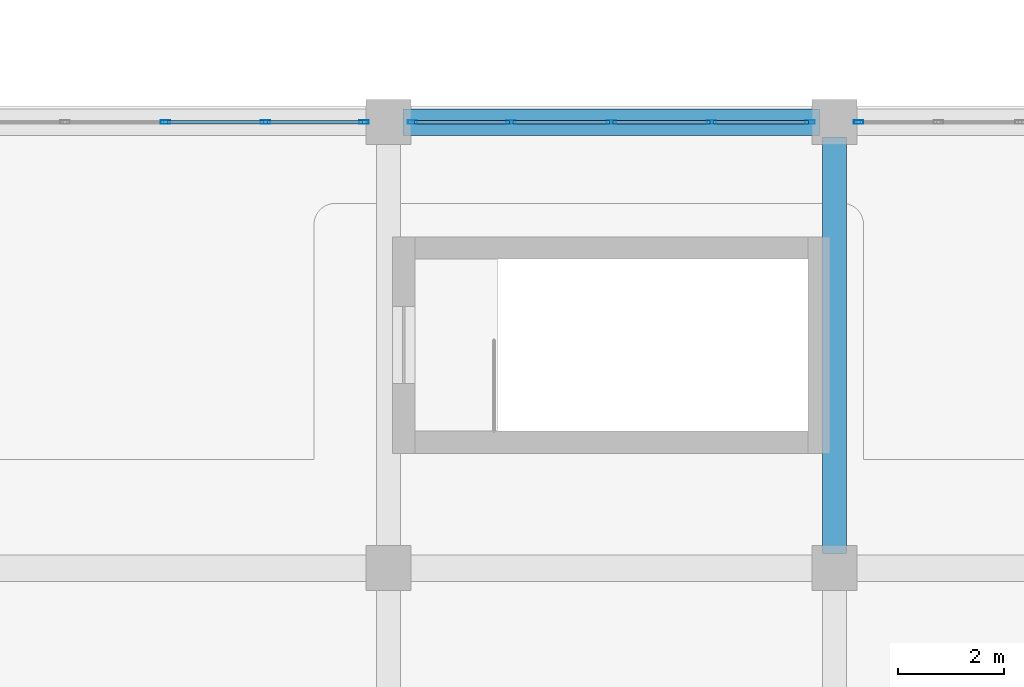
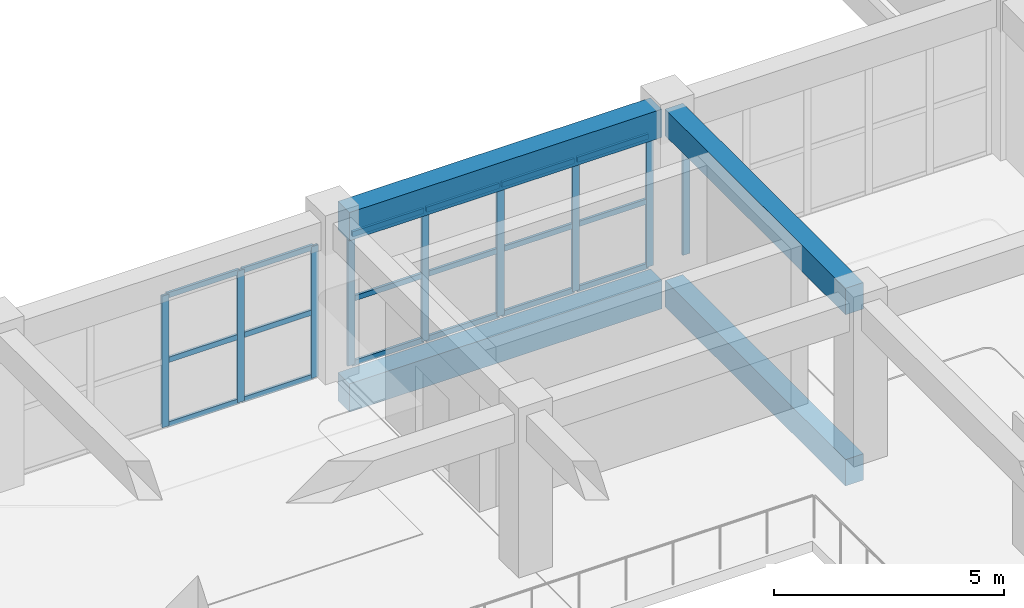
# One storey, part 66 of 129: 27 members, 4 beams, 3 elements without a shape of their own.
"""IFC4 building model written with IfcOpenShell, lengths in metres."""

from ifc_helpers import new_model, si_unit, direction, frame, origin, origin_2d, place, context, subcontext, project, spatial, rectangle, hollow_rectangle, extrude, material, layer, layer_set, material_profile, profile_set, type_object, element, aggregate, save


model = new_model("IFC4")

# Units and contexts
model_context = context("Model", 3, precision=1e-05, world=origin(), true_north=direction((0.0, 1.0)))
body_context = subcontext(model_context, "Body", "Model", "MODEL_VIEW")
ifc_project = project(units=[si_unit("LENGTHUNIT", "METRE"), si_unit("AREAUNIT", "SQUARE_METRE"), si_unit("VOLUMEUNIT", "CUBIC_METRE"), si_unit("PLANEANGLEUNIT", "RADIAN"), si_unit("MASSUNIT", "GRAM", prefix="KILO")], contexts=[model_context])

# Site, building, storey
site_placement = place(None, origin())
site = spatial("IfcSite", under=ifc_project, at=site_placement, CompositionType="ELEMENT")
building_placement = place(site_placement, origin())
building = spatial("IfcBuilding", under=site, at=building_placement, Name="Xazarin Passage Department Store", CompositionType="ELEMENT")
storey_placement = place(building_placement, frame((0.0, 0.0, 9.89990234375)))
storey = spatial("IfcBuildingStorey", under=building, at=storey_placement, Name="L02", CompositionType="ELEMENT", Elevation=9.89990234375)

# Curtain wall, members
ifc_material_1 = material(Name="Bronze anodised aluminium", Category="aluminium")
ifc_layer = layer(ifc_material_1, 0.169921875)
ifc_layer_set = layer_set([ifc_layer], Name="Bronze anodised aluminium")
curtain_wall_type = type_object("IfcCurtainWallType", Name="ARC-CW-ARC2", PredefinedType="NOTDEFINED", material=ifc_layer_set)
curtain_wall_1_placement = place(storey_placement, origin())
curtain_wall_1 = element("IfcCurtainWall", 1, at=curtain_wall_1_placement, inside=storey, type_object=curtain_wall_type, Name="L02 V2N Curtain Wall 115", PredefinedType="NOTDEFINED")
ifc_material_profile_1 = material_profile(ifc_material_1, hollow_rectangle(XDim=0.06494140625, YDim=0.179931640625, WallThickness=0.00390625, at=origin_2d()), Name="ALU 65x180")
ifc_profile_set_1 = profile_set([ifc_material_profile_1], Name="Bronze anodised aluminium")
member_type_1 = type_object("IfcMemberType", Name="ARC-CWM-65x180", PredefinedType="MULLION", material=ifc_profile_set_1)
member_1_placement = place(storey_placement, frame((80.60009765625, 93.199951171875, 0.0), z_axis=(0.0, 0.0, 1.0), x_axis=(0.0, 1.0, 0.0)))
member_1 = element("IfcMember", 2, at=member_1_placement, type_object=member_type_1, Name="CW4 mullion 3", PredefinedType="MULLION", context=body_context, shape_type="SweptSolid", body=[
    extrude(hollow_rectangle(XDim=0.06494140625, YDim=0.179931640625, WallThickness=0.00390625, at=origin_2d()), origin(), (0.0, 0.0, 1.0), 3.489990234375),
])
member_2_placement = place(storey_placement, frame((82.487548828125, 93.199951171875, 0.0), z_axis=(0.0, 0.0, 1.0), x_axis=(0.0, 1.0, 0.0)))
member_2 = element("IfcMember", 3, at=member_2_placement, type_object=member_type_1, Name="CW4 mullion 4", PredefinedType="MULLION", context=body_context, shape_type="SweptSolid", body=[
    extrude(hollow_rectangle(XDim=0.06494140625, YDim=0.179931640625, WallThickness=0.00390625, at=origin_2d()), origin(), (0.0, 0.0, 1.0), 3.489990234375),
])
member_3_placement = place(storey_placement, frame((84.342529296875, 93.199951171875, 0.0), z_axis=(0.0, 0.0, 1.0), x_axis=(0.0, 1.0, 0.0)))
member_3 = element("IfcMember", 4, at=member_3_placement, type_object=member_type_1, Name="CW4 mullion 5", PredefinedType="MULLION", context=body_context, shape_type="SweptSolid", body=[
    extrude(hollow_rectangle(XDim=0.06494140625, YDim=0.179931640625, WallThickness=0.00390625, at=origin_2d()), origin(), (0.0, 0.0, 1.0), 3.489990234375),
])

curtain_wall_2_placement = place(storey_placement, origin())
curtain_wall_2 = element("IfcCurtainWall", 5, at=curtain_wall_2_placement, inside=storey, type_object=curtain_wall_type, Name="L02 V2N Curtain Wall 116", PredefinedType="NOTDEFINED")
member_4_placement = place(storey_placement, frame((85.257568359375, 93.199951171875, 0.0), z_axis=(0.0, 0.0, 1.0), x_axis=(0.0, 1.0, 0.0)))
member_4 = element("IfcMember", 6, at=member_4_placement, type_object=member_type_1, Name="CW4 mullion 1", PredefinedType="MULLION", context=body_context, shape_type="SweptSolid", body=[
    extrude(hollow_rectangle(XDim=0.06494140625, YDim=0.179931640625, WallThickness=0.00390625, at=origin_2d()), origin(), (0.0, 0.0, 1.0), 3.489990234375),
])
member_5_placement = place(storey_placement, frame((87.112548828125, 93.199951171875, 0.0), z_axis=(0.0, 0.0, 1.0), x_axis=(0.0, 1.0, 0.0)))
member_5 = element("IfcMember", 7, at=member_5_placement, type_object=member_type_1, Name="CW4 mullion 2", PredefinedType="MULLION", context=body_context, shape_type="SweptSolid", body=[
    extrude(hollow_rectangle(XDim=0.06494140625, YDim=0.179931640625, WallThickness=0.00390625, at=origin_2d()), origin(), (0.0, 0.0, 1.0), 3.489990234375),
])
member_6_placement = place(storey_placement, frame((89.0, 93.199951171875, 0.0), z_axis=(0.0, 0.0, 1.0), x_axis=(0.0, 1.0, 0.0)))
member_6 = element("IfcMember", 8, at=member_6_placement, type_object=member_type_1, Name="CW4 mullion 3", PredefinedType="MULLION", context=body_context, shape_type="SweptSolid", body=[
    extrude(hollow_rectangle(XDim=0.06494140625, YDim=0.179931640625, WallThickness=0.00390625, at=origin_2d()), origin(), (0.0, 0.0, 1.0), 3.489990234375),
])
member_7_placement = place(storey_placement, frame((90.887451171875, 93.199951171875, 0.0), z_axis=(0.0, 0.0, 1.0), x_axis=(0.0, 1.0, 0.0)))
member_7 = element("IfcMember", 9, at=member_7_placement, type_object=member_type_1, Name="CW4 mullion 4", PredefinedType="MULLION", context=body_context, shape_type="SweptSolid", body=[
    extrude(hollow_rectangle(XDim=0.06494140625, YDim=0.179931640625, WallThickness=0.00390625, at=origin_2d()), origin(), (0.0, 0.0, 1.0), 3.489990234375),
])
member_8_placement = place(storey_placement, frame((92.742431640625, 93.199951171875, 0.0), z_axis=(0.0, 0.0, 1.0), x_axis=(0.0, 1.0, 0.0)))
member_8 = element("IfcMember", 10, at=member_8_placement, type_object=member_type_1, Name="CW4 mullion 5", PredefinedType="MULLION", context=body_context, shape_type="SweptSolid", body=[
    extrude(hollow_rectangle(XDim=0.06494140625, YDim=0.179931640625, WallThickness=0.00390625, at=origin_2d()), origin(), (0.0, 0.0, 1.0), 3.489990234375),
])

# Curtain wall, member
curtain_wall_3_placement = place(storey_placement, origin())
curtain_wall_3 = element("IfcCurtainWall", 11, at=curtain_wall_3_placement, inside=storey, type_object=curtain_wall_type, Name="L02 V2N Curtain Wall 117", PredefinedType="NOTDEFINED")
member_9_placement = place(storey_placement, frame((93.657470703125, 93.199951171875, 0.0), z_axis=(0.0, 0.0, 1.0), x_axis=(0.0, 1.0, 0.0)))
member_9 = element("IfcMember", 12, at=member_9_placement, type_object=member_type_1, Name="CW4 mullion 1", PredefinedType="MULLION", context=body_context, shape_type="SweptSolid", body=[
    extrude(hollow_rectangle(XDim=0.06494140625, YDim=0.179931640625, WallThickness=0.00390625, at=origin_2d()), origin(), (0.0, 0.0, 1.0), 3.489990234375),
])
aggregate(curtain_wall_3, [member_9])

# Member
ifc_material_profile_2 = material_profile(ifc_material_1, hollow_rectangle(XDim=0.06494140625, YDim=0.139892578125, WallThickness=0.00390625, at=origin_2d()), Name="ALU 65x140")
ifc_profile_set_2 = profile_set([ifc_material_profile_2], Name="Bronze anodised aluminium")
member_type_2 = type_object("IfcMemberType", Name="ARC-CWT-65x140", PredefinedType="USERDEFINED", material=ifc_profile_set_2)
member_10_placement = place(storey_placement, frame((80.632568359375, 93.199951171875, 0.03271484375), z_axis=(1.0, 0.0, 0.0), x_axis=(0.0, 1.0, 0.0)))
member_10 = element("IfcMember", 13, at=member_10_placement, type_object=member_type_2, Name="CW4 transom 3.1", ObjectType="TRANSOM", PredefinedType="USERDEFINED", context=body_context, shape_type="SweptSolid", body=[
    extrude(hollow_rectangle(XDim=0.06494140625, YDim=0.139892578125, WallThickness=0.00390625, at=origin_2d()), origin(), (0.0, 0.0, 1.0), 1.822509765625),
])

member_11_placement = place(storey_placement, frame((80.632568359375, 93.199951171875, 1.7451171875), z_axis=(1.0, 0.0, 0.0), x_axis=(0.0, 1.0, 0.0)))
member_11 = element("IfcMember", 14, at=member_11_placement, type_object=member_type_2, Name="CW4 transom 3.2", ObjectType="TRANSOM", PredefinedType="USERDEFINED", context=body_context, shape_type="SweptSolid", body=[
    extrude(hollow_rectangle(XDim=0.06494140625, YDim=0.139892578125, WallThickness=0.00390625, at=origin_2d()), origin(), (0.0, 0.0, 1.0), 1.822509765625),
])

member_12_placement = place(storey_placement, frame((80.632568359375, 93.199951171875, 3.45751953125), z_axis=(1.0, 0.0, 0.0), x_axis=(0.0, 1.0, 0.0)))
member_12 = element("IfcMember", 15, at=member_12_placement, type_object=member_type_2, Name="CW4 transom 3.3", ObjectType="TRANSOM", PredefinedType="USERDEFINED", context=body_context, shape_type="SweptSolid", body=[
    extrude(hollow_rectangle(XDim=0.06494140625, YDim=0.139892578125, WallThickness=0.00390625, at=origin_2d()), origin(), (0.0, 0.0, 1.0), 1.822509765625),
])

member_13_placement = place(storey_placement, frame((82.52001953125, 93.199951171875, 0.03271484375), z_axis=(1.0, 0.0, 0.0), x_axis=(0.0, 1.0, 0.0)))
member_13 = element("IfcMember", 16, at=member_13_placement, type_object=member_type_2, Name="CW4 transom 4.1", ObjectType="TRANSOM", PredefinedType="USERDEFINED", context=body_context, shape_type="SweptSolid", body=[
    extrude(hollow_rectangle(XDim=0.06494140625, YDim=0.139892578125, WallThickness=0.00390625, at=origin_2d()), origin(), (0.0, 0.0, 1.0), 1.7900390625),
])

member_14_placement = place(storey_placement, frame((82.52001953125, 93.199951171875, 1.7451171875), z_axis=(1.0, 0.0, 0.0), x_axis=(0.0, 1.0, 0.0)))
member_14 = element("IfcMember", 17, at=member_14_placement, type_object=member_type_2, Name="CW4 transom 4.2", ObjectType="TRANSOM", PredefinedType="USERDEFINED", context=body_context, shape_type="SweptSolid", body=[
    extrude(hollow_rectangle(XDim=0.06494140625, YDim=0.139892578125, WallThickness=0.00390625, at=origin_2d()), origin(), (0.0, 0.0, 1.0), 1.7900390625),
])

member_15_placement = place(storey_placement, frame((82.52001953125, 93.199951171875, 3.45751953125), z_axis=(1.0, 0.0, 0.0), x_axis=(0.0, 1.0, 0.0)))
member_15 = element("IfcMember", 18, at=member_15_placement, type_object=member_type_2, Name="CW4 transom 4.3", ObjectType="TRANSOM", PredefinedType="USERDEFINED", context=body_context, shape_type="SweptSolid", body=[
    extrude(hollow_rectangle(XDim=0.06494140625, YDim=0.139892578125, WallThickness=0.00390625, at=origin_2d()), origin(), (0.0, 0.0, 1.0), 1.7900390625),
])

aggregate(curtain_wall_1, [member_1, member_2, member_3, member_10, member_11, member_12, member_13, member_14, member_15])

member_16_placement = place(storey_placement, frame((85.2900390625, 93.199951171875, 0.03271484375), z_axis=(1.0, 0.0, 0.0), x_axis=(0.0, 1.0, 0.0)))
member_16 = element("IfcMember", 19, at=member_16_placement, type_object=member_type_2, Name="CW4 transom 1.1", ObjectType="TRANSOM", PredefinedType="USERDEFINED", context=body_context, shape_type="SweptSolid", body=[
    extrude(hollow_rectangle(XDim=0.06494140625, YDim=0.139892578125, WallThickness=0.00390625, at=origin_2d()), origin(), (0.0, 0.0, 1.0), 1.7900390625),
])

member_17_placement = place(storey_placement, frame((85.2900390625, 93.199951171875, 1.7451171875), z_axis=(1.0, 0.0, 0.0), x_axis=(0.0, 1.0, 0.0)))
member_17 = element("IfcMember", 20, at=member_17_placement, type_object=member_type_2, Name="CW4 transom 1.2", ObjectType="TRANSOM", PredefinedType="USERDEFINED", context=body_context, shape_type="SweptSolid", body=[
    extrude(hollow_rectangle(XDim=0.06494140625, YDim=0.139892578125, WallThickness=0.00390625, at=origin_2d()), origin(), (0.0, 0.0, 1.0), 1.7900390625),
])

member_18_placement = place(storey_placement, frame((85.2900390625, 93.199951171875, 3.45751953125), z_axis=(1.0, 0.0, 0.0), x_axis=(0.0, 1.0, 0.0)))
member_18 = element("IfcMember", 21, at=member_18_placement, type_object=member_type_2, Name="CW4 transom 1.3", ObjectType="TRANSOM", PredefinedType="USERDEFINED", context=body_context, shape_type="SweptSolid", body=[
    extrude(hollow_rectangle(XDim=0.06494140625, YDim=0.139892578125, WallThickness=0.00390625, at=origin_2d()), origin(), (0.0, 0.0, 1.0), 1.7900390625),
])

member_19_placement = place(storey_placement, frame((87.14501953125, 93.199951171875, 0.03271484375), z_axis=(1.0, 0.0, 0.0), x_axis=(0.0, 1.0, 0.0)))
member_19 = element("IfcMember", 22, at=member_19_placement, type_object=member_type_2, Name="CW4 transom 2.1", ObjectType="TRANSOM", PredefinedType="USERDEFINED", context=body_context, shape_type="SweptSolid", body=[
    extrude(hollow_rectangle(XDim=0.06494140625, YDim=0.139892578125, WallThickness=0.00390625, at=origin_2d()), origin(), (0.0, 0.0, 1.0), 1.822509765625),
])

member_20_placement = place(storey_placement, frame((87.14501953125, 93.199951171875, 1.7451171875), z_axis=(1.0, 0.0, 0.0), x_axis=(0.0, 1.0, 0.0)))
member_20 = element("IfcMember", 23, at=member_20_placement, type_object=member_type_2, Name="CW4 transom 2.2", ObjectType="TRANSOM", PredefinedType="USERDEFINED", context=body_context, shape_type="SweptSolid", body=[
    extrude(hollow_rectangle(XDim=0.06494140625, YDim=0.139892578125, WallThickness=0.00390625, at=origin_2d()), origin(), (0.0, 0.0, 1.0), 1.822509765625),
])

member_21_placement = place(storey_placement, frame((87.14501953125, 93.199951171875, 3.45751953125), z_axis=(1.0, 0.0, 0.0), x_axis=(0.0, 1.0, 0.0)))
member_21 = element("IfcMember", 24, at=member_21_placement, type_object=member_type_2, Name="CW4 transom 2.3", ObjectType="TRANSOM", PredefinedType="USERDEFINED", context=body_context, shape_type="SweptSolid", body=[
    extrude(hollow_rectangle(XDim=0.06494140625, YDim=0.139892578125, WallThickness=0.00390625, at=origin_2d()), origin(), (0.0, 0.0, 1.0), 1.822509765625),
])

member_22_placement = place(storey_placement, frame((89.032470703125, 93.199951171875, 0.03271484375), z_axis=(1.0, 0.0, 0.0), x_axis=(0.0, 1.0, 0.0)))
member_22 = element("IfcMember", 25, at=member_22_placement, type_object=member_type_2, Name="CW4 transom 3.1", ObjectType="TRANSOM", PredefinedType="USERDEFINED", context=body_context, shape_type="SweptSolid", body=[
    extrude(hollow_rectangle(XDim=0.06494140625, YDim=0.139892578125, WallThickness=0.00390625, at=origin_2d()), origin(), (0.0, 0.0, 1.0), 1.822509765625),
])

member_23_placement = place(storey_placement, frame((89.032470703125, 93.199951171875, 1.7451171875), z_axis=(1.0, 0.0, 0.0), x_axis=(0.0, 1.0, 0.0)))
member_23 = element("IfcMember", 26, at=member_23_placement, type_object=member_type_2, Name="CW4 transom 3.2", ObjectType="TRANSOM", PredefinedType="USERDEFINED", context=body_context, shape_type="SweptSolid", body=[
    extrude(hollow_rectangle(XDim=0.06494140625, YDim=0.139892578125, WallThickness=0.00390625, at=origin_2d()), origin(), (0.0, 0.0, 1.0), 1.822509765625),
])

member_24_placement = place(storey_placement, frame((89.032470703125, 93.199951171875, 3.45751953125), z_axis=(1.0, 0.0, 0.0), x_axis=(0.0, 1.0, 0.0)))
member_24 = element("IfcMember", 27, at=member_24_placement, type_object=member_type_2, Name="CW4 transom 3.3", ObjectType="TRANSOM", PredefinedType="USERDEFINED", context=body_context, shape_type="SweptSolid", body=[
    extrude(hollow_rectangle(XDim=0.06494140625, YDim=0.139892578125, WallThickness=0.00390625, at=origin_2d()), origin(), (0.0, 0.0, 1.0), 1.822509765625),
])

member_25_placement = place(storey_placement, frame((90.919921875, 93.199951171875, 0.03271484375), z_axis=(1.0, 0.0, 0.0), x_axis=(0.0, 1.0, 0.0)))
member_25 = element("IfcMember", 28, at=member_25_placement, type_object=member_type_2, Name="CW4 transom 4.1", ObjectType="TRANSOM", PredefinedType="USERDEFINED", context=body_context, shape_type="SweptSolid", body=[
    extrude(hollow_rectangle(XDim=0.06494140625, YDim=0.139892578125, WallThickness=0.00390625, at=origin_2d()), origin(), (0.0, 0.0, 1.0), 1.7900390625),
])

member_26_placement = place(storey_placement, frame((90.919921875, 93.199951171875, 1.7451171875), z_axis=(1.0, 0.0, 0.0), x_axis=(0.0, 1.0, 0.0)))
member_26 = element("IfcMember", 29, at=member_26_placement, type_object=member_type_2, Name="CW4 transom 4.2", ObjectType="TRANSOM", PredefinedType="USERDEFINED", context=body_context, shape_type="SweptSolid", body=[
    extrude(hollow_rectangle(XDim=0.06494140625, YDim=0.139892578125, WallThickness=0.00390625, at=origin_2d()), origin(), (0.0, 0.0, 1.0), 1.7900390625),
])

member_27_placement = place(storey_placement, frame((90.919921875, 93.199951171875, 3.45751953125), z_axis=(1.0, 0.0, 0.0), x_axis=(0.0, 1.0, 0.0)))
member_27 = element("IfcMember", 30, at=member_27_placement, type_object=member_type_2, Name="CW4 transom 4.3", ObjectType="TRANSOM", PredefinedType="USERDEFINED", context=body_context, shape_type="SweptSolid", body=[
    extrude(hollow_rectangle(XDim=0.06494140625, YDim=0.139892578125, WallThickness=0.00390625, at=origin_2d()), origin(), (0.0, 0.0, 1.0), 1.7900390625),
])

aggregate(curtain_wall_2, [member_4, member_5, member_6, member_7, member_8, member_16, member_17, member_18, member_19, member_20, member_21, member_22, member_23, member_24, member_25, member_26, member_27])

# Beams
ifc_material_2 = material(Name="Concrete C35/45", Category="concrete")
ifc_material_profile_3 = material_profile(ifc_material_2, rectangle(XDim=0.449951171875, YDim=0.699951171875, at=origin_2d()), Name="RC 450x700")
ifc_profile_set_3 = profile_set([ifc_material_profile_3], Name="Concrete C35/45")
beam_type_1 = type_object("IfcBeamType", Name="STR-BM-G450x700", PredefinedType="BEAM", material=ifc_profile_set_3)
for number, where, z_axis, x_axis, name in (
    (31, (93.199951171875, 85.080078125, -0.64990234375), (0.0, 1.0, 0.0), (-1.0, 0.0, 0.0), "L02 Grid Beam 13/M-N"),
    (32, (93.199951171875, 85.080078125, 3.89013671875), (0.0, 1.0, 0.0), (-1.0, 0.0, 0.0), "L02 Grid Beam 13/M-N"),
):
    element("IfcBeam", number, at=place(storey_placement, frame(where, z_axis=z_axis, x_axis=x_axis)), inside=storey, type_object=beam_type_1, Name=name, PredefinedType="BEAM", context=body_context, shape_type="SweptSolid", body=[
        extrude(rectangle(XDim=0.449951171875, YDim=0.699951171875, at=origin_2d()), origin(), (0.0, 0.0, 1.0), 7.83984375),
    ])
ifc_material_profile_4 = material_profile(ifc_material_2, rectangle(XDim=0.5, YDim=0.75, at=origin_2d()), Name="RC 500x750")
ifc_profile_set_4 = profile_set([ifc_material_profile_4], Name="Concrete C35/45")
beam_type_2 = type_object("IfcBeamType", Name="STR-BM-SP500x750", PredefinedType="SPANDREL", material=ifc_profile_set_4)
for number, where, z_axis, x_axis, name in (
    (33, (85.080078125, 93.199951171875, -0.6748046875), (1.0, 0.0, 0.0), (0.0, 1.0, 0.0), "L02 Grid Beam N/12-13"),
    (34, (85.080078125, 93.199951171875, 3.864990234375), (1.0, 0.0, 0.0), (0.0, 1.0, 0.0), "L02 Grid Beam N/12-13"),
):
    element("IfcBeam", number, at=place(storey_placement, frame(where, z_axis=z_axis, x_axis=x_axis)), inside=storey, type_object=beam_type_2, Name=name, PredefinedType="SPANDREL", context=body_context, shape_type="SweptSolid", body=[
        extrude(rectangle(XDim=0.5, YDim=0.75, at=origin_2d()), origin(), (0.0, 0.0, 1.0), 7.83984375),
    ])

save(model, "model.ifc")
